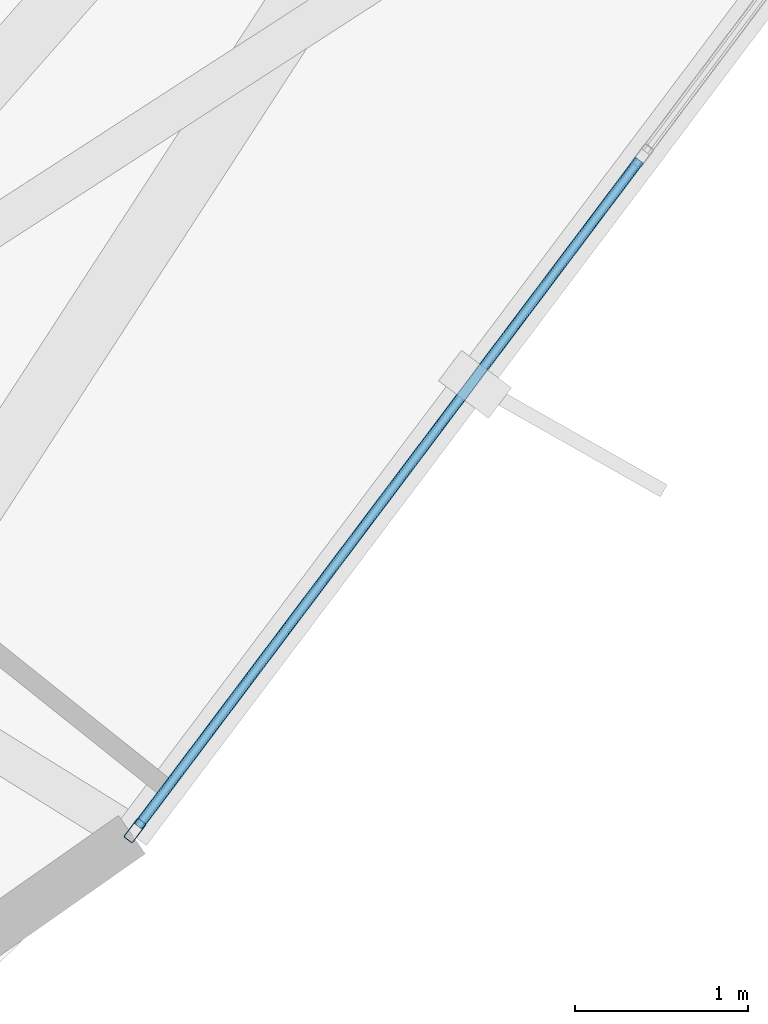
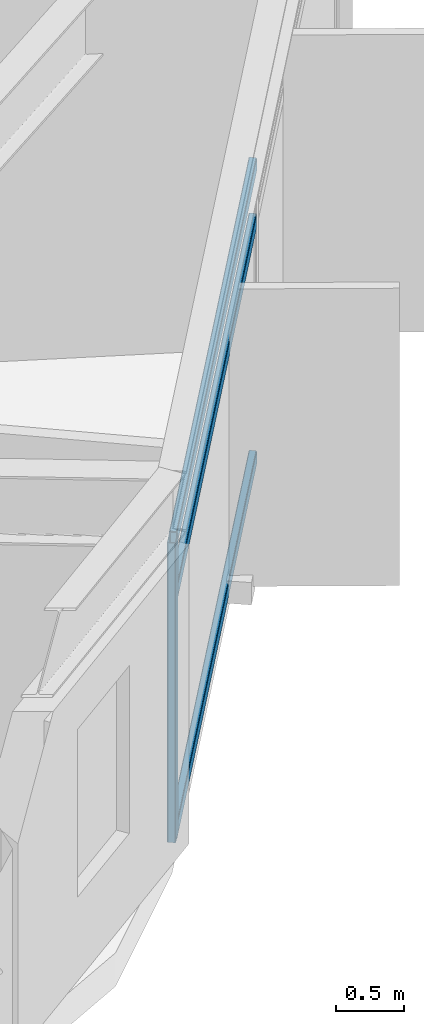
# One storey, part 8 of 29: 4 members, 1 element without a shape of its own.
"""IFC4 building model written with IfcOpenShell, lengths in metres."""

from ifc_helpers import new_model, si_unit, direction, frame, origin, origin_2d, place, context, subcontext, project, spatial, hollow_rectangle, extrude, material, layer, layer_set, material_profile, profile_set, type_object, element, aggregate, save


model = new_model("IFC4")

# Units and contexts
model_context = context("Model", 3, precision=1e-05, world=origin(), true_north=direction((0.0, 1.0)))
body_context = subcontext(model_context, "Body", "Model", "MODEL_VIEW")
ifc_project = project(units=[si_unit("LENGTHUNIT", "METRE"), si_unit("AREAUNIT", "SQUARE_METRE"), si_unit("VOLUMEUNIT", "CUBIC_METRE"), si_unit("PLANEANGLEUNIT", "RADIAN"), si_unit("MASSUNIT", "GRAM", prefix="KILO")], contexts=[model_context])

# Site, building, storey
site_placement = place(None, origin())
site = spatial("IfcSite", under=ifc_project, at=site_placement, CompositionType="ELEMENT")
building_placement = place(site_placement, origin())
building = spatial("IfcBuilding", under=site, at=building_placement, Name="Soratama Intermodal Tower", CompositionType="ELEMENT")
storey_placement = place(building_placement, frame((0.0, 0.0, 226.60009765625)))
storey = spatial("IfcBuildingStorey", under=building, at=storey_placement, Name="L57", CompositionType="ELEMENT", Elevation=226.60009765625)

# Curtain wall, members
ifc_material_1 = material(Name="Double-glazed aluminium curtain wall", Category="aluminium")
ifc_layer = layer(ifc_material_1, 0.159912109375)
ifc_layer_set = layer_set([ifc_layer], Name="Double-glazed aluminium curtain wall")
curtain_wall_type = type_object("IfcCurtainWallType", Name="CW-SYS-5", PredefinedType="NOTDEFINED", material=ifc_layer_set)
curtain_wall_placement = place(storey_placement, origin())
curtain_wall = element("IfcCurtainWall", 1, at=curtain_wall_placement, inside=storey, type_object=curtain_wall_type, Name="L57 Faceted Curtain Wall F08", PredefinedType="NOTDEFINED")
ifc_material_2 = material(Name="Anodised aluminium AA 6063-T6", Category="aluminium")
ifc_material_profile_1 = material_profile(ifc_material_2, hollow_rectangle(XDim=0.06494140625, YDim=0.139892578125, WallThickness=0.0048828125, InnerFilletRadius=0.0048828125, OuterFilletRadius=0.010009765625, at=origin_2d()), Name="CWM140X65X5")
ifc_profile_set_1 = profile_set([ifc_material_profile_1], Name="Anodised aluminium AA 6063-T6")
member_type_1 = type_object("IfcMemberType", Name="MT-CWM-5", PredefinedType="MULLION", material=ifc_profile_set_1)
member_1_placement = place(storey_placement, frame((57.955322265625, 9.158203125, 0.0), z_axis=(0.0, 0.0, 1.0), x_axis=(-0.799052254373, 0.601261585985, 0.0)))
member_1 = element("IfcMember", 2, at=member_1_placement, type_object=member_type_1, Name="CW-5 mullion 1", PredefinedType="MULLION", context=body_context, shape_type="SweptSolid", body=[
    extrude(hollow_rectangle(XDim=0.06494140625, YDim=0.139892578125, WallThickness=0.0048828125, InnerFilletRadius=0.0048828125, OuterFilletRadius=0.010009765625, at=origin_2d()), origin(), (0.0, 0.0, 1.0), 2.678955078125),
])
ifc_material_3 = material(Name="Anodised aluminium AA 6063-T6", Category="aluminium")
ifc_material_profile_2 = material_profile(ifc_material_3, hollow_rectangle(XDim=0.06005859375, YDim=0.1298828125, WallThickness=0.0048828125, InnerFilletRadius=0.0048828125, OuterFilletRadius=0.010009765625, at=origin_2d()), Name="CWT130X60X5")
ifc_profile_set_2 = profile_set([ifc_material_profile_2], Name="Anodised aluminium AA 6063-T6")
member_type_2 = type_object("IfcMemberType", Name="TT-CWT-2", PredefinedType="USERDEFINED", material=ifc_profile_set_2)
member_2_placement = place(storey_placement, frame((57.973388671875, 9.18212890625, 0.02978515625), z_axis=(0.601258330333, 0.799054704138, 0.0), x_axis=(-0.799054704138, 0.601258330333, 0.0)))
member_2 = element("IfcMember", 3, at=member_2_placement, type_object=member_type_2, Name="CW-5 transom 1.1", ObjectType="TRANSOM", PredefinedType="USERDEFINED", context=body_context, shape_type="SweptSolid", body=[
    extrude(hollow_rectangle(XDim=0.06005859375, YDim=0.1298828125, WallThickness=0.0048828125, InnerFilletRadius=0.0048828125, OuterFilletRadius=0.010009765625, at=origin_2d()), origin(), (0.0, 0.0, 1.0), 4.808837890625),
])
member_3_placement = place(storey_placement, frame((57.973388671875, 9.18212890625, 2.14990234375), z_axis=(0.601258330333, 0.799054704138, 0.0), x_axis=(-0.799054704138, 0.601258330333, 0.0)))
member_3 = element("IfcMember", 4, at=member_3_placement, type_object=member_type_2, Name="CW-5 transom 1.2", ObjectType="TRANSOM", PredefinedType="USERDEFINED", context=body_context, shape_type="SweptSolid", body=[
    extrude(hollow_rectangle(XDim=0.06005859375, YDim=0.1298828125, WallThickness=0.0048828125, InnerFilletRadius=0.0048828125, OuterFilletRadius=0.010009765625, at=origin_2d()), origin(), (0.0, 0.0, 1.0), 4.808837890625),
])
member_4_placement = place(storey_placement, frame((57.973388671875, 9.18212890625, 2.64892578125), z_axis=(0.601258330333, 0.799054704138, 0.0), x_axis=(-0.799054704138, 0.601258330333, 0.0)))
member_4 = element("IfcMember", 5, at=member_4_placement, type_object=member_type_2, Name="CW-5 transom 1.3", ObjectType="TRANSOM", PredefinedType="USERDEFINED", context=body_context, shape_type="SweptSolid", body=[
    extrude(hollow_rectangle(XDim=0.06005859375, YDim=0.1298828125, WallThickness=0.0048828125, InnerFilletRadius=0.0048828125, OuterFilletRadius=0.010009765625, at=origin_2d()), origin(), (0.0, 0.0, 1.0), 4.808837890625),
])
aggregate(curtain_wall, [member_1, member_2, member_3, member_4])

save(model, "model.ifc")
